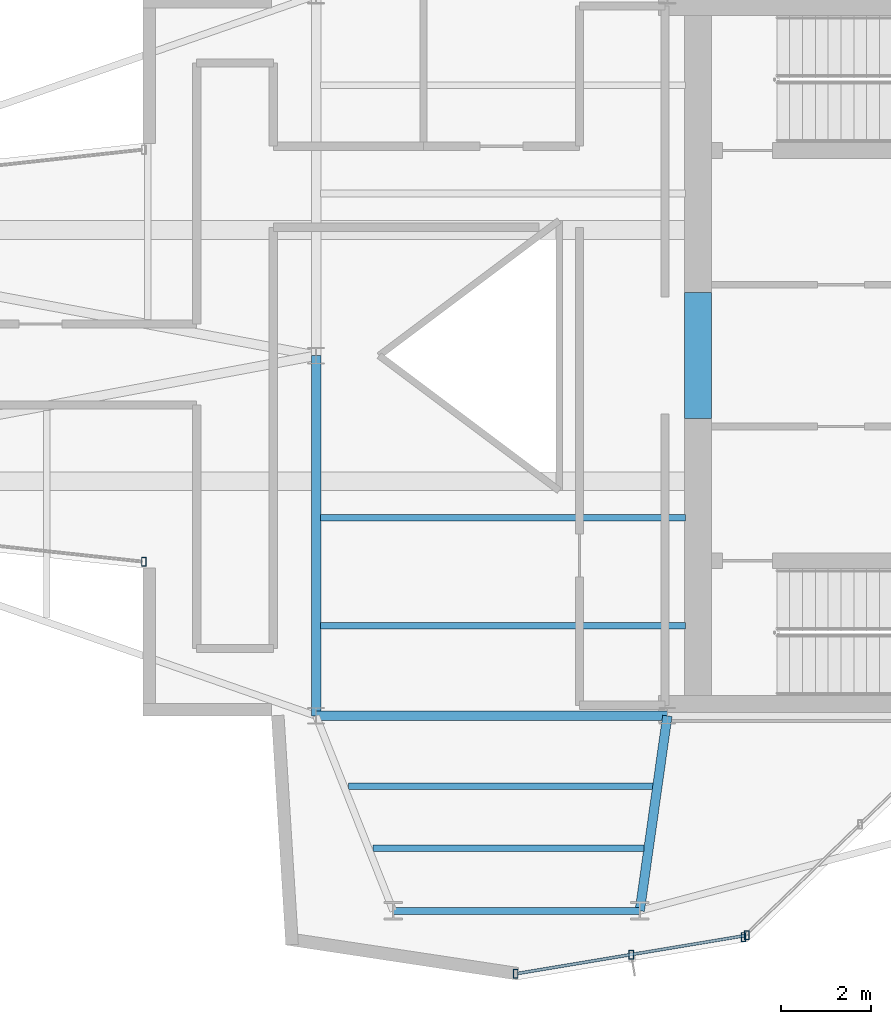
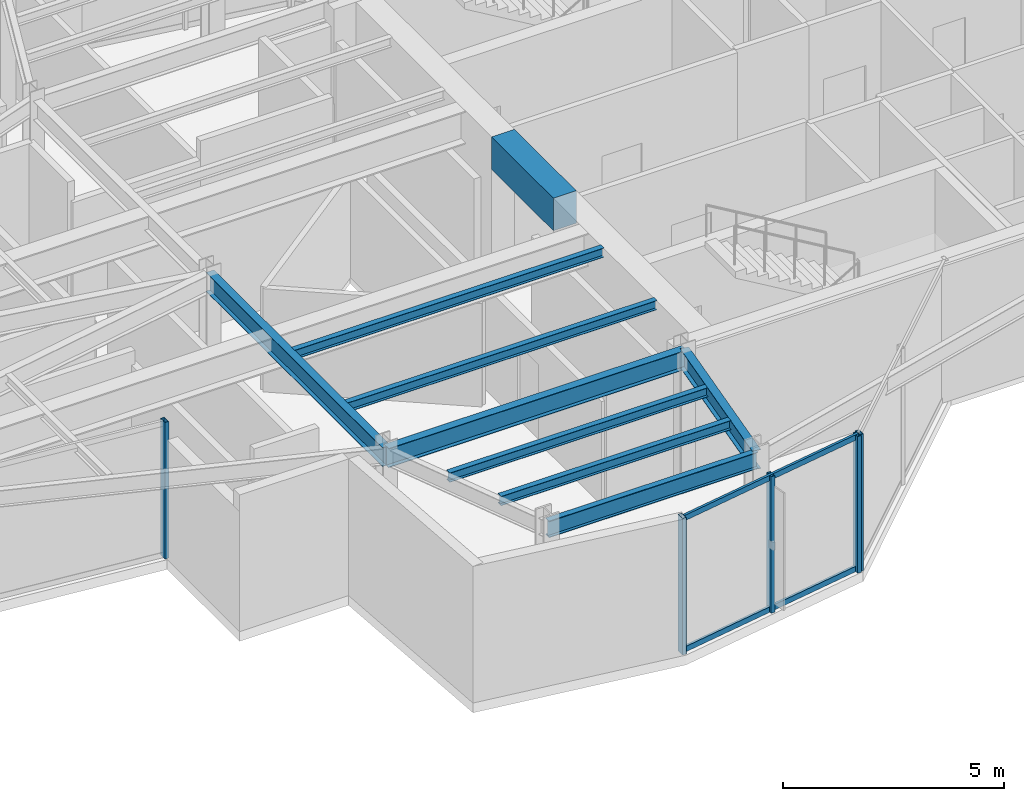
# One storey, part 4 of 16: 9 beams, 7 members, 3 elements without a shape of their own.
"""IFC4 building model written with IfcOpenShell, lengths in metres."""

from ifc_helpers import new_model, si_unit, direction, frame, origin, origin_2d, place, context, subcontext, project, spatial, rectangle, hollow_rectangle, i_section, extrude, material, layer, layer_set, material_profile, profile_set, type_object, element, aggregate, save


model = new_model("IFC4")

# Units and contexts
model_context = context("Model", 3, precision=1e-05, world=origin(), true_north=direction((0.0, 1.0)))
body_context = subcontext(model_context, "Body", "Model", "MODEL_VIEW")
ifc_project = project(units=[si_unit("LENGTHUNIT", "METRE"), si_unit("AREAUNIT", "SQUARE_METRE"), si_unit("VOLUMEUNIT", "CUBIC_METRE"), si_unit("PLANEANGLEUNIT", "RADIAN"), si_unit("MASSUNIT", "GRAM", prefix="KILO")], contexts=[model_context])

# Site, building, storey
site_placement = place(None, origin())
site = spatial("IfcSite", under=ifc_project, at=site_placement, CompositionType="ELEMENT")
building_placement = place(site_placement, origin())
building = spatial("IfcBuilding", under=site, at=building_placement, Name="Veymaron Broadcast Tower", CompositionType="ELEMENT")
storey_placement = place(building_placement, frame((0.0, 0.0, 315.449951171875)))
storey = spatial("IfcBuildingStorey", under=building, at=storey_placement, Name="L74", CompositionType="ELEMENT", Elevation=315.449951171875)

# Beams
ifc_material_1 = material(Name="Concrete C60/75", Category="concrete")
ifc_material_profile_1 = material_profile(ifc_material_1, rectangle(XDim=0.60009765625, YDim=0.89990234375, at=origin_2d()), Name="RC600X900")
ifc_profile_set_1 = profile_set([ifc_material_profile_1], Name="Concrete C60/75")
beam_type_1 = type_object("IfcBeamType", Name="BM-CB2", PredefinedType="LINTEL", material=ifc_profile_set_1)
beam_1_placement = place(storey_placement, frame((39.679931640625, 22.60009765625, 3.330078125), z_axis=(0.0, 1.0, 0.0), x_axis=(-1.0, 0.0, 0.0)))
element("IfcBeam", 1, at=beam_1_placement, inside=storey, type_object=beam_type_1, Name="L74 Core Wall west coupling beam", PredefinedType="LINTEL", context=body_context, shape_type="SweptSolid", body=[
    extrude(rectangle(XDim=0.60009765625, YDim=0.89990234375, at=origin_2d()), origin(), (0.0, 0.0, 1.0), 2.7998046875),
])
ifc_material_2 = material(Name="Structural steel ASTM A992 Gr 50", Category="steel")
ifc_material_profile_2 = material_profile(ifc_material_2, i_section(OverallWidth=0.208984375, OverallDepth=0.528076171875, WebThickness=0.009521484375, FlangeThickness=0.01318359375, at=origin_2d()), Name="W530X82")
ifc_profile_set_2 = profile_set([ifc_material_profile_2], Name="Structural steel ASTM A992 Gr 50")
beam_type_2 = type_object("IfcBeamType", Name="BM-FG4", PredefinedType="BEAM", material=ifc_profile_set_2)
beam_2_placement = place(storey_placement, frame((31.199951171875, 16.0, 3.51611328125), z_axis=(0.0, 1.0, 0.0), x_axis=(-1.0, 0.0, 0.0)))
element("IfcBeam", 2, at=beam_2_placement, inside=storey, type_object=beam_type_2, Name="L74 primary structural floor girder", PredefinedType="BEAM", context=body_context, shape_type="SweptSolid", body=[
    extrude(i_section(OverallWidth=0.208984375, OverallDepth=0.528076171875, WebThickness=0.009521484375, FlangeThickness=0.01318359375, at=origin_2d()), origin(), (0.0, 0.0, 1.0), 8.0),
])
beam_3_placement = place(storey_placement, frame((31.199951171875, 16.0, 3.51611328125), z_axis=(1.0, 0.0, 0.0), x_axis=(0.0, 1.0, 0.0)))
element("IfcBeam", 3, at=beam_3_placement, inside=storey, type_object=beam_type_2, Name="L74 primary structural floor girder", PredefinedType="BEAM", context=body_context, shape_type="SweptSolid", body=[
    extrude(i_section(OverallWidth=0.208984375, OverallDepth=0.528076171875, WebThickness=0.009521484375, FlangeThickness=0.01318359375, at=origin_2d()), origin(), (0.0, 0.0, 1.0), 7.800048828125),
])
beam_4_placement = place(storey_placement, frame((39.0, 16.0, 3.51611328125), z_axis=(-0.140029301726, -0.990147360072, 0.0), x_axis=(0.990147360072, -0.140029301726, 0.0)))
element("IfcBeam", 4, at=beam_4_placement, inside=storey, type_object=beam_type_2, Name="L74 primary structural floor girder", PredefinedType="BEAM", context=body_context, shape_type="SweptSolid", body=[
    extrude(i_section(OverallWidth=0.208984375, OverallDepth=0.528076171875, WebThickness=0.009521484375, FlangeThickness=0.01318359375, at=origin_2d()), origin(), (0.0, 0.0, 1.0), 4.370849609375),
])
ifc_material_profile_3 = material_profile(ifc_material_2, i_section(OverallWidth=0.14599609375, OverallDepth=0.258056640625, WebThickness=0.006103515625, FlangeThickness=0.009033203125, at=origin_2d()), Name="W250X33")
ifc_profile_set_3 = profile_set([ifc_material_profile_3], Name="Structural steel ASTM A992 Gr 50")
beam_type_3 = type_object("IfcBeamType", Name="BM-JS4", PredefinedType="JOIST", material=ifc_profile_set_3)
beam_5_placement = place(storey_placement, frame((31.9169921875, 14.44189453125, 3.651123046875), z_axis=(1.0, 0.0, 0.0), x_axis=(0.0, 1.0, 0.0)))
element("IfcBeam", 5, at=beam_5_placement, inside=storey, type_object=beam_type_3, Name="L74 Arm-C secondary joist 1", PredefinedType="JOIST", context=body_context, shape_type="SweptSolid", body=[
    extrude(i_section(OverallWidth=0.14599609375, OverallDepth=0.258056640625, WebThickness=0.006103515625, FlangeThickness=0.009033203125, at=origin_2d()), origin(), (0.0, 0.0, 1.0), 6.7626953125),
])
beam_6_placement = place(storey_placement, frame((32.465087890625, 13.056884765625, 3.651123046875), z_axis=(1.0, 0.0, 0.0), x_axis=(0.0, 1.0, 0.0)))
element("IfcBeam", 6, at=beam_6_placement, inside=storey, type_object=beam_type_3, Name="L74 Arm-C secondary joist 2", PredefinedType="JOIST", context=body_context, shape_type="SweptSolid", body=[
    extrude(i_section(OverallWidth=0.14599609375, OverallDepth=0.258056640625, WebThickness=0.006103515625, FlangeThickness=0.009033203125, at=origin_2d()), origin(), (0.0, 0.0, 1.0), 6.018798828125),
])
for number, where, z_axis, x_axis, name in (
    (7, (31.300048828125, 18.0, 3.651123046875), (1.0, 0.0, 0.0), (0.0, 1.0, 0.0), "L74 Hub secondary joist 1"),
    (8, (31.300048828125, 20.39990234375, 3.651123046875), (1.0, 0.0, 0.0), (0.0, 1.0, 0.0), "L74 Hub secondary joist 2"),
):
    element("IfcBeam", number, at=place(storey_placement, frame(where, z_axis=z_axis, x_axis=x_axis)), inside=storey, type_object=beam_type_3, Name=name, PredefinedType="JOIST", context=body_context, shape_type="SweptSolid", body=[
        extrude(i_section(OverallWidth=0.14599609375, OverallDepth=0.258056640625, WebThickness=0.006103515625, FlangeThickness=0.009033203125, at=origin_2d()), origin(), (0.0, 0.0, 1.0), 8.099853515625),
    ])
ifc_material_profile_4 = material_profile(ifc_material_2, i_section(OverallWidth=0.154052734375, OverallDepth=0.458984375, WebThickness=0.009033203125, FlangeThickness=0.015380859375, at=origin_2d()), Name="W460X68")
ifc_profile_set_4 = profile_set([ifc_material_profile_4], Name="Structural steel ASTM A992 Gr 50")
beam_type_4 = type_object("IfcBeamType", Name="BM-SP2", PredefinedType="SPANDREL", material=ifc_profile_set_4)
beam_7_placement = place(storey_placement, frame((32.91357421875, 11.672119140625, 3.550537109375), z_axis=(1.0, 0.0, 0.0), x_axis=(0.0, 1.0, 0.0)))
element("IfcBeam", 9, at=beam_7_placement, inside=storey, type_object=beam_type_4, Name="L74 primary structural floor girder", PredefinedType="SPANDREL", context=body_context, shape_type="SweptSolid", body=[
    extrude(i_section(OverallWidth=0.154052734375, OverallDepth=0.458984375, WebThickness=0.009033203125, FlangeThickness=0.015380859375, at=origin_2d()), origin(), (0.0, 0.0, 1.0), 5.474365234375),
])

# Curtain wall, member
ifc_material_3 = material(Name="Anodised aluminium AA 6063-T6 and laminated low-E dark glass", Category="aluminium")
ifc_layer = layer(ifc_material_3, 0.179931640625)
ifc_layer_set = layer_set([ifc_layer], Name="Anodised aluminium AA 6063-T6 and laminated low-E dark glass")
curtain_wall_type = type_object("IfcCurtainWallType", Name="CW-SYS-07", PredefinedType="NOTDEFINED", material=ifc_layer_set)
curtain_wall_1_placement = place(storey_placement, origin())
curtain_wall_1 = element("IfcCurtainWall", 10, at=curtain_wall_1_placement, inside=storey, type_object=curtain_wall_type, Name="L74 dark-glass curtain wall CW-L74-E2-1", PredefinedType="NOTDEFINED")
ifc_material_4 = material(Name="Anodised aluminium AA 6063-T6", Category="aluminium")
ifc_material_profile_5 = material_profile(ifc_material_4, hollow_rectangle(XDim=0.10009765625, YDim=0.199951171875, WallThickness=0.010009765625, at=origin_2d()), Name="RHS200X100X10")
ifc_profile_set_5 = profile_set([ifc_material_profile_5], Name="Anodised aluminium AA 6063-T6")
member_type_1 = type_object("IfcMemberType", Name="CW-MUL-01", PredefinedType="MULLION", material=ifc_profile_set_5)
member_1_placement = place(storey_placement, frame((27.37353515625, 19.423583984375, 0.0), z_axis=(0.0, 0.0, 1.0), x_axis=(1.0, 0.0, 0.0)))
member_1 = element("IfcMember", 11, at=member_1_placement, type_object=member_type_1, Name="CW-L74-E2-1 mullion 2", PredefinedType="MULLION", context=body_context, shape_type="SweptSolid", body=[
    extrude(hollow_rectangle(XDim=0.10009765625, YDim=0.199951171875, WallThickness=0.010009765625, at=origin_2d()), origin(), (0.0, 0.0, 1.0), 3.780029296875),
])
aggregate(curtain_wall_1, [member_1])

# Curtain wall, members
curtain_wall_2_placement = place(storey_placement, origin())
curtain_wall_2 = element("IfcCurtainWall", 12, at=curtain_wall_2_placement, inside=storey, type_object=curtain_wall_type, Name="L74 dark-glass curtain wall CW-L74-E7-1", PredefinedType="NOTDEFINED")
member_2_placement = place(storey_placement, frame((35.6337890625, 10.273193359375, 0.0), z_axis=(0.0, 0.0, 1.0), x_axis=(1.0, 0.0, 0.0)))
member_2 = element("IfcMember", 13, at=member_2_placement, type_object=member_type_1, Name="CW-L74-E7-1 mullion 0", PredefinedType="MULLION", context=body_context, shape_type="SweptSolid", body=[
    extrude(hollow_rectangle(XDim=0.10009765625, YDim=0.199951171875, WallThickness=0.010009765625, at=origin_2d()), origin(), (0.0, 0.0, 1.0), 3.780029296875),
])
member_3_placement = place(storey_placement, frame((38.19873046875, 10.7001953125, 0.0), z_axis=(0.0, 0.0, 1.0), x_axis=(1.0, 0.0, 0.0)))
member_3 = element("IfcMember", 14, at=member_3_placement, type_object=member_type_1, Name="CW-L74-E7-1 mullion 1", PredefinedType="MULLION", context=body_context, shape_type="SweptSolid", body=[
    extrude(hollow_rectangle(XDim=0.10009765625, YDim=0.199951171875, WallThickness=0.010009765625, at=origin_2d()), origin(), (0.0, 0.0, 1.0), 3.780029296875),
])
member_4_placement = place(storey_placement, frame((40.763427734375, 11.126953125, 0.0), z_axis=(0.0, 0.0, 1.0), x_axis=(1.0, 0.0, 0.0)))
member_4 = element("IfcMember", 15, at=member_4_placement, type_object=member_type_1, Name="CW-L74-E7-1 mullion 2", PredefinedType="MULLION", context=body_context, shape_type="SweptSolid", body=[
    extrude(hollow_rectangle(XDim=0.10009765625, YDim=0.199951171875, WallThickness=0.010009765625, at=origin_2d()), origin(), (0.0, 0.0, 1.0), 3.780029296875),
])

# Curtain wall, member
curtain_wall_3_placement = place(storey_placement, origin())
curtain_wall_3 = element("IfcCurtainWall", 16, at=curtain_wall_3_placement, inside=storey, type_object=curtain_wall_type, Name="L74 dark-glass curtain wall CW-L74-E8-1", PredefinedType="NOTDEFINED")
member_5_placement = place(storey_placement, frame((40.689208984375, 11.089599609375, 0.0), z_axis=(0.0, 0.0, 1.0), x_axis=(1.0, 0.0, 0.0)))
member_5 = element("IfcMember", 17, at=member_5_placement, type_object=member_type_1, Name="CW-L74-E8-1 mullion 0", PredefinedType="MULLION", context=body_context, shape_type="SweptSolid", body=[
    extrude(hollow_rectangle(XDim=0.10009765625, YDim=0.199951171875, WallThickness=0.010009765625, at=origin_2d()), origin(), (0.0, 0.0, 1.0), 3.780029296875),
])
aggregate(curtain_wall_3, [member_5])

# Member
ifc_material_profile_6 = material_profile(ifc_material_4, hollow_rectangle(XDim=0.06494140625, YDim=0.14990234375, WallThickness=0.00390625, at=origin_2d()), Name="AL150X65X4")
ifc_profile_set_6 = profile_set([ifc_material_profile_6], Name="Anodised aluminium AA 6063-T6")
member_type_2 = type_object("IfcMemberType", Name="CW-TRN-01", PredefinedType="USERDEFINED", material=ifc_profile_set_6)
member_6_placement = place(storey_placement, frame((35.68310546875, 10.281494140625, 0.070068359375), z_axis=(0.986436584547, 0.164142817897, 0.0), x_axis=(-0.164142817897, 0.986436584547, 0.0)))
member_6 = element("IfcMember", 18, at=member_6_placement, type_object=member_type_2, Name="CW-L74-E7-1 transom B", ObjectType="TRANSOM", PredefinedType="USERDEFINED", context=body_context, shape_type="SweptSolid", body=[
    extrude(hollow_rectangle(XDim=0.06494140625, YDim=0.14990234375, WallThickness=0.00390625, at=origin_2d()), origin(), (0.0, 0.0, 1.0), 5.10009765625),
])

member_7_placement = place(storey_placement, frame((35.68310546875, 10.281494140625, 3.7099609375), z_axis=(0.986436584547, 0.164142817897, 0.0), x_axis=(-0.164142817897, 0.986436584547, 0.0)))
member_7 = element("IfcMember", 19, at=member_7_placement, type_object=member_type_2, Name="CW-L74-E7-1 transom T", ObjectType="TRANSOM", PredefinedType="USERDEFINED", context=body_context, shape_type="SweptSolid", body=[
    extrude(hollow_rectangle(XDim=0.06494140625, YDim=0.14990234375, WallThickness=0.00390625, at=origin_2d()), origin(), (0.0, 0.0, 1.0), 5.10009765625),
])

aggregate(curtain_wall_2, [member_2, member_3, member_4, member_6, member_7])

save(model, "model.ifc")
